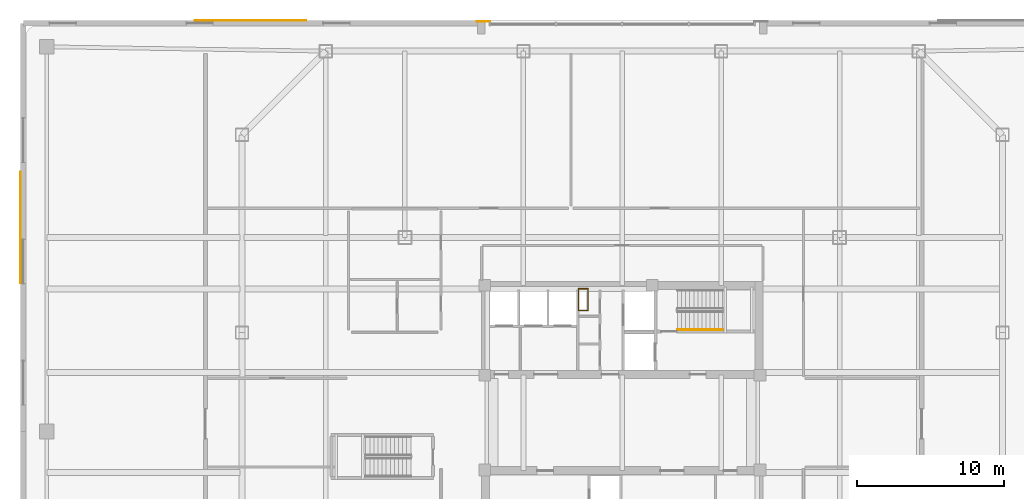
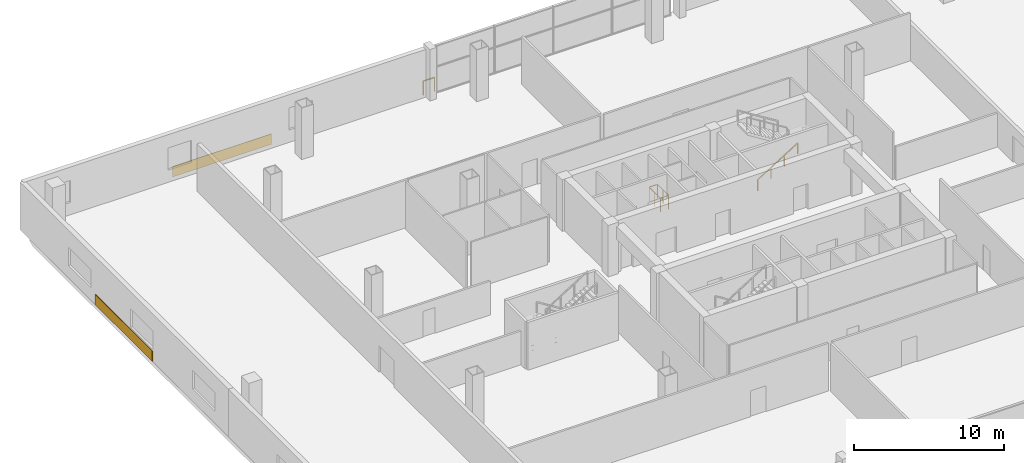
# One storey, part 19 of 21: 3 railings, 2 coverings.
"""IFC4 building model written with IfcOpenShell, lengths in metres."""

from ifc_helpers import new_model, si_unit, direction, frame, origin, origin_2d, place, context, subcontext, project, spatial, rectangle, extrude, material, layer, layer_set, type_object, element, save


model = new_model("IFC4")

# Units and contexts
model_context = context("Model", 3, precision=1e-05, world=origin(), true_north=direction((0.0, 1.0)))
body_context = subcontext(model_context, "Body", "Model", "MODEL_VIEW")
ifc_project = project(units=[si_unit("LENGTHUNIT", "METRE"), si_unit("AREAUNIT", "SQUARE_METRE"), si_unit("VOLUMEUNIT", "CUBIC_METRE"), si_unit("PLANEANGLEUNIT", "RADIAN"), si_unit("MASSUNIT", "GRAM", prefix="KILO")], contexts=[model_context])

# Site, building, storey
site_placement = place(None, origin())
site = spatial("IfcSite", under=ifc_project, at=site_placement, CompositionType="ELEMENT")
building_placement = place(site_placement, origin())
building = spatial("IfcBuilding", under=site, at=building_placement, Name="Qhalaya Broadcast Tower", CompositionType="ELEMENT")
storey_placement = place(building_placement, frame((0.0, 0.0, 5.10009765625)))
storey = spatial("IfcBuildingStorey", under=building, at=storey_placement, Name="L01", CompositionType="ELEMENT", Elevation=5.10009765625)

# Coverings
ifc_material_1 = material(Name="Fired Architectural Terracotta", Category="masonry")
ifc_layer = layer(ifc_material_1, 0.044921875, Name="Fired Architectural Terracotta")
ifc_layer_set = layer_set([ifc_layer], Name="Fired Architectural Terracotta")
covering_type = type_object("IfcCoveringType", Name="Polychrome Terracotta Rainscreen Cladding CLD-01", PredefinedType="CLADDING", material=ifc_layer_set)
for number, where, z_axis, x_axis, name in (
    (1, (-25.320068359375, 28.0, 0.02490234375), (0.0, 0.0, 1.0), (1.0, 0.0, 0.0), "L01 Terracotta Spandrel Cladding EW-NW"),
    (2, (-41.0, 13.89990234375, 0.02490234375), (0.0, 0.0, 1.0), (0.0, 1.0, 0.0), "L01 Terracotta Spandrel Cladding EW-WN"),
):
    element("IfcCovering", number, at=place(storey_placement, frame(where, z_axis=z_axis, x_axis=x_axis)), inside=storey, type_object=covering_type, Name=name, PredefinedType="CLADDING", context=body_context, shape_type="SweptSolid", body=[
        extrude(rectangle(XDim=7.60009765625, YDim=0.044921875, at=origin_2d()), origin(), (0.0, 0.0, 1.0), 0.85009765625),
    ])

# Railings
ifc_material_2 = material(Name="Powder-Coated Galvanised Steel", Category="steel")
railing_type_1 = type_object("IfcRailingType", Name="Stair Wall Handrail 900", PredefinedType="HANDRAIL", material=ifc_material_2)
railing_1_placement = place(storey_placement, frame((3.75, 6.929931640625, 0.1748046875)))
element("IfcRailing", 3, at=railing_1_placement, inside=storey, type_object=railing_type_1, Name="L01 ST-1 Stair Handrail 1", PredefinedType="HANDRAIL", context=body_context, shape_type="SweptSolid", body=[
    extrude(rectangle(XDim=0.048095703125, YDim=0.048095703125, at=origin_2d()), frame((0.0, 0.0, 0.8759765625), z_axis=(0.847998304005, 0.0, 0.529998940003), x_axis=(0.0, 1.0, 0.0)), (0.0, 0.0, 1.0), 3.632080078125),
    extrude(rectangle(XDim=0.0419921875, YDim=0.0419921875, at=origin_2d()), origin(), (0.0, 0.0, 1.0), 0.849853515625),
    extrude(rectangle(XDim=0.0419921875, YDim=0.0419921875, at=origin_2d()), frame((1.026611328125, 0.0, 0.6416015625)), (0.0, 0.0, 1.0), 0.849853515625),
    extrude(rectangle(XDim=0.0419921875, YDim=0.0419921875, at=origin_2d()), frame((2.053466796875, 0.0, 1.283447265625)), (0.0, 0.0, 1.0), 0.849853515625),
    extrude(rectangle(XDim=0.0419921875, YDim=0.0419921875, at=origin_2d()), frame((3.080078125, 0.0, 1.925048828125)), (0.0, 0.0, 1.0), 0.849853515625),
])
railing_type_2 = type_object("IfcRailingType", Name="Stair Well & Landing Guardrail 1100", PredefinedType="GUARDRAIL", material=ifc_material_2)
railing_2_placement = place(storey_placement, frame((-2.340087890625, 8.239990234375, 0.0)))
element("IfcRailing", 4, at=railing_2_placement, inside=storey, type_object=railing_type_2, Name="L01 Service Riser Opening Safety Guard NRSR", PredefinedType="GUARDRAIL", context=body_context, shape_type="SweptSolid", body=[
    extrude(rectangle(XDim=0.048095703125, YDim=0.048095703125, at=origin_2d()), frame((0.0, 0.02880859375, 1.1259765625), z_axis=(0.0, 1.0, 0.0), x_axis=(-1.0, 0.0, 0.0)), (0.0, 0.0, 1.0), 1.42236328125),
    extrude(rectangle(XDim=0.048095703125, YDim=0.048095703125, at=origin_2d()), frame((-0.02880859375, 1.47998046875, 1.1259765625), z_axis=(-1.0, 0.0, 0.0), x_axis=(0.0, -1.0, 0.0)), (0.0, 0.0, 1.0), 0.582275390625),
    extrude(rectangle(XDim=0.048095703125, YDim=0.048095703125, at=origin_2d()), frame((-0.639892578125, 1.451171875, 1.1259765625), z_axis=(0.0, -1.0, 0.0), x_axis=(1.0, 0.0, 0.0)), (0.0, 0.0, 1.0), 1.42236328125),
    extrude(rectangle(XDim=0.048095703125, YDim=0.048095703125, at=origin_2d()), frame((-0.611083984375, 0.0, 1.1259765625), z_axis=(1.0, 0.0, 0.0), x_axis=(0.0, 1.0, 0.0)), (0.0, 0.0, 1.0), 0.582275390625),
    extrude(rectangle(XDim=0.0419921875, YDim=0.0419921875, at=origin_2d()), origin(), (0.0, 0.0, 1.0), 1.099853515625),
    extrude(rectangle(XDim=0.0419921875, YDim=0.0419921875, at=origin_2d()), frame((0.0, 0.739990234375, 0.0)), (0.0, 0.0, 1.0), 1.099853515625),
    extrude(rectangle(XDim=0.0419921875, YDim=0.0419921875, at=origin_2d()), frame((0.0, 1.47998046875, 0.0)), (0.0, 0.0, 1.0), 1.099853515625),
    extrude(rectangle(XDim=0.0419921875, YDim=0.0419921875, at=origin_2d()), frame((-0.639892578125, 1.47998046875, 0.0)), (0.0, 0.0, 1.0), 1.099853515625),
    extrude(rectangle(XDim=0.0419921875, YDim=0.0419921875, at=origin_2d()), frame((-0.639892578125, 0.739990234375, 0.0)), (0.0, 0.0, 1.0), 1.099853515625),
    extrude(rectangle(XDim=0.0419921875, YDim=0.0419921875, at=origin_2d()), frame((-0.639892578125, 0.0, 0.0)), (0.0, 0.0, 1.0), 1.099853515625),
])
railing_type_3 = type_object("IfcRailingType", Name="Terrace, Sky-Pool & Lookout Glass Balustrade 1150", PredefinedType="BALUSTRADE", material=ifc_material_2)
railing_3_placement = place(storey_placement, frame((-9.8798828125, 27.919921875, 0.0)))
element("IfcRailing", 5, at=railing_3_placement, inside=storey, type_object=railing_type_3, Name="L01 Concourse Portal Shoulder Safety Balustrade PNW", PredefinedType="BALUSTRADE", context=body_context, shape_type="SweptSolid", body=[
    extrude(rectangle(XDim=0.048095703125, YDim=0.048095703125, at=origin_2d()), frame((0.0, 0.0, 1.1259765625), z_axis=(1.0, 0.0, 0.0), x_axis=(0.0, 1.0, 0.0)), (0.0, 0.0, 1.0), 0.8798828125),
    extrude(rectangle(XDim=0.0419921875, YDim=0.0419921875, at=origin_2d()), origin(), (0.0, 0.0, 1.0), 1.099853515625),
    extrude(rectangle(XDim=0.0419921875, YDim=0.0419921875, at=origin_2d()), frame((0.8798828125, 0.0, 0.0)), (0.0, 0.0, 1.0), 1.099853515625),
])

save(model, "model.ifc")
